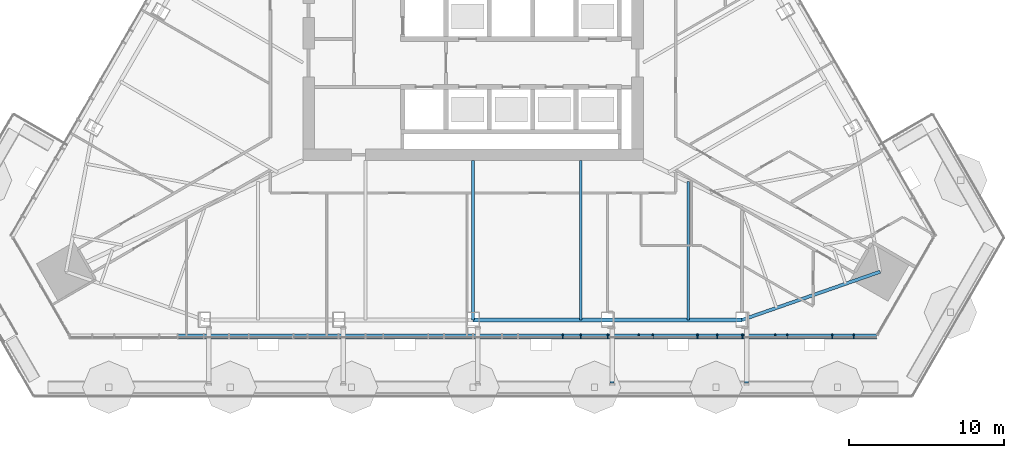
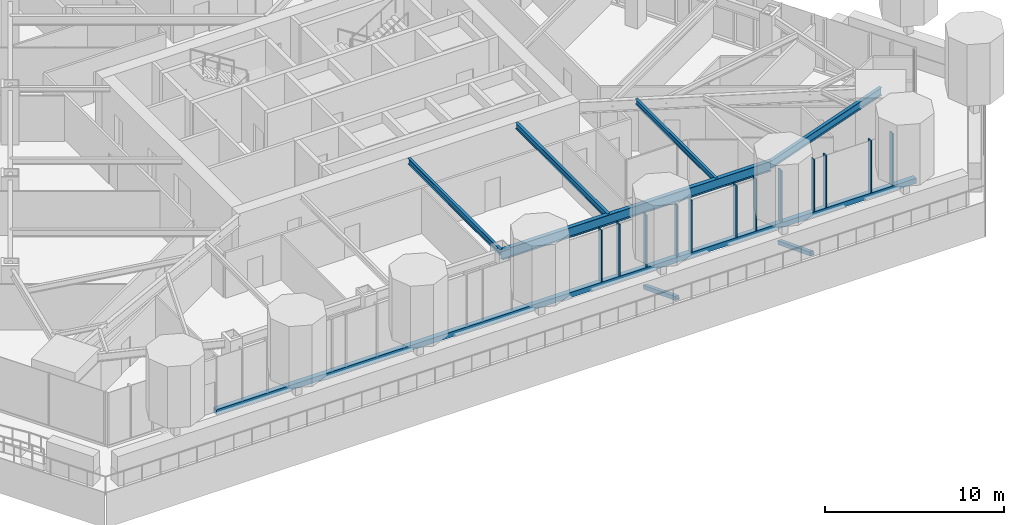
# One storey, part 4 of 24: 15 members, 5 beams, 1 element without a shape of its own.
"""IFC4 building model written with IfcOpenShell, lengths in metres."""

from ifc_helpers import new_model, si_unit, direction, frame, origin, origin_2d, place, context, subcontext, project, spatial, rectangle, hollow_rectangle, i_section, extrude, material, layer, layer_set, material_profile, profile_set, type_object, element, aggregate, save


model = new_model("IFC4")

# Units and contexts
model_context = context("Model", 3, precision=1e-05, world=origin(), true_north=direction((0.0, 1.0)))
body_context = subcontext(model_context, "Body", "Model", "MODEL_VIEW")
ifc_project = project(units=[si_unit("LENGTHUNIT", "METRE"), si_unit("AREAUNIT", "SQUARE_METRE"), si_unit("VOLUMEUNIT", "CUBIC_METRE"), si_unit("PLANEANGLEUNIT", "RADIAN"), si_unit("MASSUNIT", "GRAM", prefix="KILO")], contexts=[model_context])

# Site, building, storey
site_placement = place(None, origin())
site = spatial("IfcSite", under=ifc_project, at=site_placement, CompositionType="ELEMENT")
building_placement = place(site_placement, origin())
building = spatial("IfcBuilding", under=site, at=building_placement, Name="Firuza Gate Tower and Library", CompositionType="ELEMENT")
storey_placement = place(building_placement, frame((0.0, 0.0, 194.800048828125)))
storey = spatial("IfcBuildingStorey", under=building, at=storey_placement, Name="L45", CompositionType="ELEMENT", Elevation=194.800048828125)

# Curtain wall, members
ifc_material_1 = material(Name="Aluminium 6063-T6", Category="aluminium")
ifc_layer = layer(ifc_material_1, 0.14990234375)
ifc_layer_set = layer_set([ifc_layer], Name="Unitised curtain wall, hotel")
curtain_wall_type = type_object("IfcCurtainWallType", Name="Unitised curtain wall, hotel", PredefinedType="NOTDEFINED", material=ifc_layer_set)
curtain_wall_placement = place(storey_placement, origin())
curtain_wall = element("IfcCurtainWall", 1, at=curtain_wall_placement, inside=storey, type_object=curtain_wall_type, Name="CW2 L45 S face", PredefinedType="NOTDEFINED")
ifc_material_2 = material(Name="Aluminium 6063-T6", Category="aluminium")
ifc_material_profile_1 = material_profile(ifc_material_2, rectangle(XDim=0.320068359375, YDim=0.080078125, at=origin_2d()))
ifc_profile_set_1 = profile_set([ifc_material_profile_1], Name="Aluminium 6063-T6")
member_type_1 = type_object("IfcMemberType", Name="Curtain wall mullion 80x320", PredefinedType="MULLION", material=ifc_profile_set_1)
member_1_placement = place(storey_placement, frame((80.800048828125, 55.638916015625, 0.14990234375), z_axis=(0.0, 0.0, 1.0), x_axis=(0.0, 1.0, 0.0)))
member_1 = element("IfcMember", 2, at=member_1_placement, type_object=member_type_1, Name="Mullion", PredefinedType="MULLION", context=body_context, shape_type="SweptSolid", body=[
    extrude(rectangle(XDim=0.320068359375, YDim=0.080078125, at=origin_2d()), origin(), (0.0, 0.0, 1.0), 3.550048828125),
])
member_2_placement = place(storey_placement, frame((83.7001953125, 55.638916015625, 0.14990234375), z_axis=(0.0, 0.0, 1.0), x_axis=(0.0, 1.0, 0.0)))
member_2 = element("IfcMember", 3, at=member_2_placement, type_object=member_type_1, Name="Mullion", PredefinedType="MULLION", context=body_context, shape_type="SweptSolid", body=[
    extrude(rectangle(XDim=0.320068359375, YDim=0.080078125, at=origin_2d()), origin(), (0.0, 0.0, 1.0), 3.550048828125),
])
member_3_placement = place(storey_placement, frame((86.600341796875, 55.638916015625, 0.14990234375), z_axis=(0.0, 0.0, 1.0), x_axis=(0.0, 1.0, 0.0)))
member_3 = element("IfcMember", 4, at=member_3_placement, type_object=member_type_1, Name="Mullion", PredefinedType="MULLION", context=body_context, shape_type="SweptSolid", body=[
    extrude(rectangle(XDim=0.320068359375, YDim=0.080078125, at=origin_2d()), origin(), (0.0, 0.0, 1.0), 3.550048828125),
])
member_4_placement = place(storey_placement, frame((89.500244140625, 55.638916015625, 0.14990234375), z_axis=(0.0, 0.0, 1.0), x_axis=(0.0, 1.0, 0.0)))
member_4 = element("IfcMember", 5, at=member_4_placement, type_object=member_type_1, Name="Mullion", PredefinedType="MULLION", context=body_context, shape_type="SweptSolid", body=[
    extrude(rectangle(XDim=0.320068359375, YDim=0.080078125, at=origin_2d()), origin(), (0.0, 0.0, 1.0), 3.550048828125),
])
member_5_placement = place(storey_placement, frame((92.400390625, 55.638916015625, 0.14990234375), z_axis=(0.0, 0.0, 1.0), x_axis=(0.0, 1.0, 0.0)))
member_5 = element("IfcMember", 6, at=member_5_placement, type_object=member_type_1, Name="Mullion", PredefinedType="MULLION", context=body_context, shape_type="SweptSolid", body=[
    extrude(rectangle(XDim=0.320068359375, YDim=0.080078125, at=origin_2d()), origin(), (0.0, 0.0, 1.0), 3.550048828125),
])
member_6_placement = place(storey_placement, frame((95.300537109375, 55.638916015625, 0.14990234375), z_axis=(0.0, 0.0, 1.0), x_axis=(0.0, 1.0, 0.0)))
member_6 = element("IfcMember", 7, at=member_6_placement, type_object=member_type_1, Name="Mullion", PredefinedType="MULLION", context=body_context, shape_type="SweptSolid", body=[
    extrude(rectangle(XDim=0.320068359375, YDim=0.080078125, at=origin_2d()), origin(), (0.0, 0.0, 1.0), 3.550048828125),
])
member_7_placement = place(storey_placement, frame((98.20068359375, 55.638916015625, 0.14990234375), z_axis=(0.0, 0.0, 1.0), x_axis=(0.0, 1.0, 0.0)))
member_7 = element("IfcMember", 8, at=member_7_placement, type_object=member_type_1, Name="Mullion", PredefinedType="MULLION", context=body_context, shape_type="SweptSolid", body=[
    extrude(rectangle(XDim=0.320068359375, YDim=0.080078125, at=origin_2d()), origin(), (0.0, 0.0, 1.0), 3.550048828125),
])
member_8_placement = place(storey_placement, frame((81.951904296875, 55.638916015625, 0.14990234375), z_axis=(0.0, 0.0, 1.0), x_axis=(0.0, 1.0, 0.0)))
member_8 = element("IfcMember", 9, at=member_8_placement, type_object=member_type_1, Name="Mullion", PredefinedType="MULLION", context=body_context, shape_type="SweptSolid", body=[
    extrude(rectangle(XDim=0.320068359375, YDim=0.080078125, at=origin_2d()), origin(), (0.0, 0.0, 1.0), 3.550048828125),
])
member_9_placement = place(storey_placement, frame((85.69580078125, 55.638916015625, 0.14990234375), z_axis=(0.0, 0.0, 1.0), x_axis=(0.0, 1.0, 0.0)))
member_9 = element("IfcMember", 10, at=member_9_placement, type_object=member_type_1, Name="Mullion", PredefinedType="MULLION", context=body_context, shape_type="SweptSolid", body=[
    extrude(rectangle(XDim=0.320068359375, YDim=0.080078125, at=origin_2d()), origin(), (0.0, 0.0, 1.0), 3.550048828125),
])
member_10_placement = place(storey_placement, frame((90.775634765625, 55.638916015625, 0.14990234375), z_axis=(0.0, 0.0, 1.0), x_axis=(0.0, 1.0, 0.0)))
member_10 = element("IfcMember", 11, at=member_10_placement, type_object=member_type_1, Name="Mullion", PredefinedType="MULLION", context=body_context, shape_type="SweptSolid", body=[
    extrude(rectangle(XDim=0.320068359375, YDim=0.080078125, at=origin_2d()), origin(), (0.0, 0.0, 1.0), 3.550048828125),
])
member_11_placement = place(storey_placement, frame((94.519775390625, 55.638916015625, 0.14990234375), z_axis=(0.0, 0.0, 1.0), x_axis=(0.0, 1.0, 0.0)))
member_11 = element("IfcMember", 12, at=member_11_placement, type_object=member_type_1, Name="Mullion", PredefinedType="MULLION", context=body_context, shape_type="SweptSolid", body=[
    extrude(rectangle(XDim=0.320068359375, YDim=0.080078125, at=origin_2d()), origin(), (0.0, 0.0, 1.0), 3.550048828125),
])
member_12_placement = place(storey_placement, frame((99.599609375, 55.638916015625, 0.14990234375), z_axis=(0.0, 0.0, 1.0), x_axis=(0.0, 1.0, 0.0)))
member_12 = element("IfcMember", 13, at=member_12_placement, type_object=member_type_1, Name="Mullion", PredefinedType="MULLION", context=body_context, shape_type="SweptSolid", body=[
    extrude(rectangle(XDim=0.320068359375, YDim=0.080078125, at=origin_2d()), origin(), (0.0, 0.0, 1.0), 3.550048828125),
])
ifc_material_3 = material(Name="Aluminium 6063-T6", Category="aluminium")
ifc_material_profile_2 = material_profile(ifc_material_3, rectangle(XDim=0.320068359375, YDim=0.35009765625, at=origin_2d()))
ifc_profile_set_2 = profile_set([ifc_material_profile_2], Name="Aluminium 6063-T6")
member_type_2 = type_object("IfcMemberType", Name="Curtain wall transom 350x320", PredefinedType="USERDEFINED", material=ifc_profile_set_2)
member_13_placement = place(storey_placement, frame((55.91943359375, 55.638916015625, -0.025146484375), z_axis=(1.0, 0.0, 0.0), x_axis=(0.0, 1.0, 0.0)))
member_13 = element("IfcMember", 14, at=member_13_placement, type_object=member_type_2, Name="Transom", ObjectType="TRANSOM", PredefinedType="USERDEFINED", context=body_context, shape_type="SweptSolid", body=[
    extrude(rectangle(XDim=0.320068359375, YDim=0.35009765625, at=origin_2d()), origin(), (0.0, 0.0, 1.0), 45.18115234375),
])
aggregate(curtain_wall, [member_1, member_2, member_3, member_4, member_5, member_6, member_7, member_13, member_8, member_9, member_10, member_11, member_12])

# Members
ifc_material_4 = material(Name="Steel S355", Category="steel")
ifc_material_profile_3 = material_profile(ifc_material_4, hollow_rectangle(XDim=0.25390625, YDim=0.25390625, WallThickness=0.01171875, at=origin_2d()))
ifc_profile_set_3 = profile_set([ifc_material_profile_3], Name="Steel S355")
member_type_3 = type_object("IfcMemberType", Name="HSS254x254x13 Tray strut", PredefinedType="BRACE", material=ifc_profile_set_3)
for number, where, z_axis, x_axis, name in (
    (15, (83.98583984375, 56.163818359375, -1.670166015625), (0.0, -0.931986877569, 0.362492013758), (1.0, 0.0, 0.0), "Tray strut L45 col:L44:S4"),
    (16, (92.671630859375, 56.163818359375, -1.670166015625), (0.0, -0.931986877569, 0.362492013758), (1.0, 0.0, 0.0), "Tray strut L45 col:L44:S5"),
):
    element("IfcMember", number, at=place(storey_placement, frame(where, z_axis=z_axis, x_axis=x_axis)), inside=storey, type_object=member_type_3, Name=name, PredefinedType="BRACE", context=body_context, shape_type="SweptSolid", body=[
        extrude(hollow_rectangle(XDim=0.25390625, YDim=0.25390625, WallThickness=0.01171875, at=origin_2d()), origin(), (0.0, 0.0, 1.0), 3.862548828125),
    ])

# Beams
ifc_material_5 = material(Name="Steel S355", Category="steel")
ifc_material_profile_4 = material_profile(ifc_material_5, i_section(OverallWidth=0.1708984375, OverallDepth=0.35498046875, WebThickness=0.007080078125, FlangeThickness=0.01171875, at=origin_2d()))
ifc_profile_set_4 = profile_set([ifc_material_profile_4], Name="Steel S355")
beam_type_1 = type_object("IfcBeamType", Name="W360x51 Floor beam", PredefinedType="JOIST", material=ifc_profile_set_4)
beam_1_placement = place(storey_placement, frame((88.897216796875, 56.698974609375, 3.5224609375), z_axis=(0.0, 1.0, 0.0), x_axis=(-1.0, 0.0, 0.0)))
element("IfcBeam", 17, at=beam_1_placement, inside=storey, type_object=beam_type_1, Name="Floor beam L45 s24", PredefinedType="JOIST", context=body_context, shape_type="SweptSolid", body=[
    extrude(i_section(OverallWidth=0.1708984375, OverallDepth=0.35498046875, WebThickness=0.007080078125, FlangeThickness=0.01171875, at=origin_2d()), origin(), (0.0, 0.0, 1.0), 8.940673828125),
])
ifc_material_6 = material(Name="Steel S355", Category="steel")
ifc_material_profile_5 = material_profile(ifc_material_6, i_section(OverallWidth=0.177978515625, OverallDepth=0.406982421875, WebThickness=0.0078125, FlangeThickness=0.0126953125, at=origin_2d()))
ifc_profile_set_5 = profile_set([ifc_material_profile_5], Name="Steel S355")
beam_type_2 = type_object("IfcBeamType", Name="W410x60 Floor beam", PredefinedType="JOIST", material=ifc_profile_set_5)
for number, where, z_axis, x_axis, name in (
    (18, (75.0, 56.698974609375, 3.496337890625), (0.0, 1.0, 0.0), (-1.0, 0.0, 0.0), "Floor beam L45 s22"),
    (19, (81.94873046875, 56.698974609375, 3.496337890625), (0.0, 1.0, 0.0), (-1.0, 0.0, 0.0), "Floor beam L45 s23"),
):
    element("IfcBeam", number, at=place(storey_placement, frame(where, z_axis=z_axis, x_axis=x_axis)), inside=storey, type_object=beam_type_2, Name=name, PredefinedType="JOIST", context=body_context, shape_type="SweptSolid", body=[
        extrude(i_section(OverallWidth=0.177978515625, OverallDepth=0.406982421875, WebThickness=0.0078125, FlangeThickness=0.0126953125, at=origin_2d()), origin(), (0.0, 0.0, 1.0), 10.301025390625),
    ])
ifc_material_7 = material(Name="Steel S355", Category="steel")
ifc_material_profile_6 = material_profile(ifc_material_7, i_section(OverallWidth=0.212890625, OverallDepth=0.5390625, WebThickness=0.01171875, FlangeThickness=0.018798828125, at=origin_2d()))
ifc_profile_set_6 = profile_set([ifc_material_profile_6], Name="Steel S355")
beam_type_3 = type_object("IfcBeamType", Name="W530x109 Edge beam", PredefinedType="SPANDREL", material=ifc_profile_set_6)
beam_2_placement = place(storey_placement, frame((92.37158203125, 56.698974609375, 3.430419921875), z_axis=(0.94408154334, 0.329712055475, 0.0), x_axis=(-0.329712055475, 0.94408154334, 0.0)))
element("IfcBeam", 20, at=beam_2_placement, inside=storey, type_object=beam_type_3, Name="Edge beam L45 e30", PredefinedType="SPANDREL", context=body_context, shape_type="SweptSolid", body=[
    extrude(i_section(OverallWidth=0.212890625, OverallDepth=0.5390625, WebThickness=0.01171875, FlangeThickness=0.018798828125, at=origin_2d()), origin(), (0.0, 0.0, 1.0), 9.455810546875),
])
ifc_material_8 = material(Name="Steel S355", Category="steel")
ifc_material_profile_7 = material_profile(ifc_material_8, i_section(OverallWidth=0.2529296875, OverallDepth=0.677978515625, WebThickness=0.01171875, FlangeThickness=0.016357421875, at=origin_2d()))
ifc_profile_set_7 = profile_set([ifc_material_profile_7], Name="Steel S355")
beam_type_4 = type_object("IfcBeamType", Name="W690x125 Edge beam", PredefinedType="SPANDREL", material=ifc_profile_set_7)
beam_3_placement = place(storey_placement, frame((75.0, 56.698974609375, 3.36083984375), z_axis=(1.0, 0.0, 0.0), x_axis=(0.0, 1.0, 0.0)))
element("IfcBeam", 21, at=beam_3_placement, inside=storey, type_object=beam_type_4, Name="Edge beam L45 e22", PredefinedType="SPANDREL", context=body_context, shape_type="SweptSolid", body=[
    extrude(i_section(OverallWidth=0.2529296875, OverallDepth=0.677978515625, WebThickness=0.01171875, FlangeThickness=0.016357421875, at=origin_2d()), origin(), (0.0, 0.0, 1.0), 17.37158203125),
])

save(model, "model.ifc")
